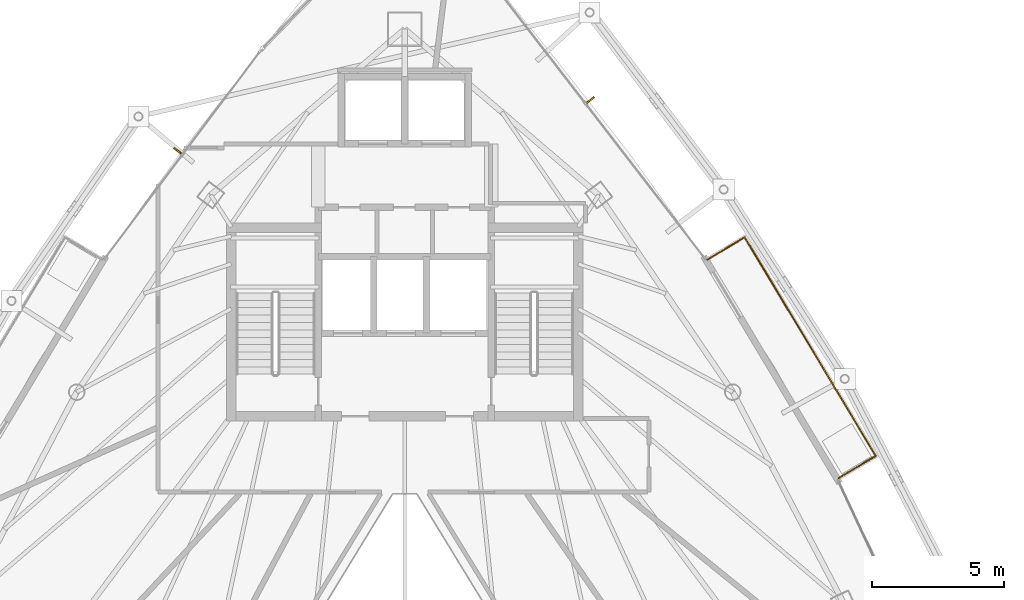
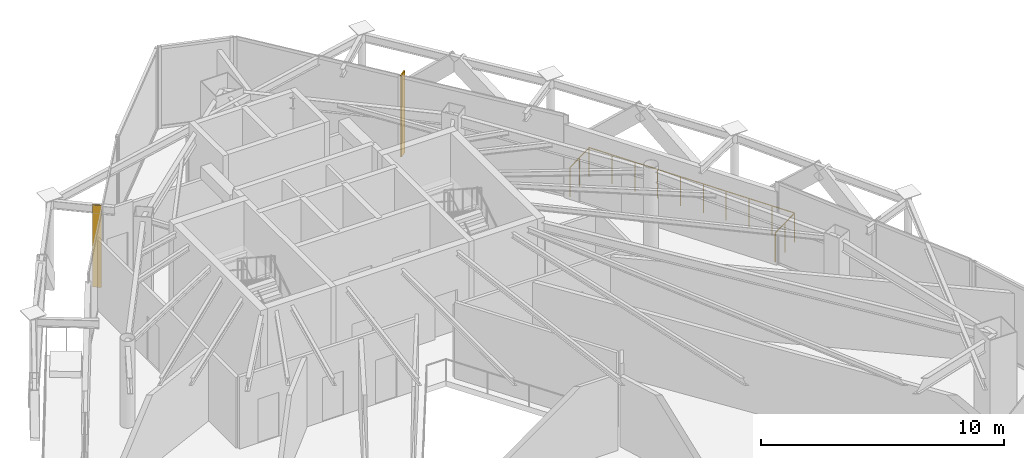
# One storey, part 25 of 25: 2 shading devices, 1 railing.
"""IFC4 building model written with IfcOpenShell, lengths in metres."""

from ifc_helpers import new_model, si_unit, direction, frame, origin, origin_2d, place, context, subcontext, project, spatial, rectangle, circle, extrude, material, layer, layer_set, type_object, element, save


model = new_model("IFC4")

# Units and contexts
model_context = context("Model", 3, precision=1e-05, world=origin(), true_north=direction((0.0, 1.0)))
body_context = subcontext(model_context, "Body", "Model", "MODEL_VIEW")
ifc_project = project(units=[si_unit("LENGTHUNIT", "METRE"), si_unit("AREAUNIT", "SQUARE_METRE"), si_unit("VOLUMEUNIT", "CUBIC_METRE"), si_unit("PLANEANGLEUNIT", "RADIAN"), si_unit("MASSUNIT", "GRAM", prefix="KILO")], contexts=[model_context])

# Site, building, storey
site_placement = place(None, origin())
site = spatial("IfcSite", under=ifc_project, at=site_placement, CompositionType="ELEMENT")
building_placement = place(site_placement, origin())
building = spatial("IfcBuilding", under=site, at=building_placement, Name="Orvanel Arch Residences", CompositionType="ELEMENT")
storey_placement = place(building_placement, frame((0.0, 0.0, 236.0)))
storey = spatial("IfcBuildingStorey", under=building, at=storey_placement, Name="L67", CompositionType="ELEMENT", Elevation=236.0)

# Shading devices
ifc_material = material(Name="Bronze-anodised aluminium AA6063-T6", Category="aluminium")
ifc_layer = layer(ifc_material, 0.06005859375)
ifc_layer_set = layer_set([ifc_layer], Name="Bronze-anodised aluminium AA6063-T6")
shading_device_type = type_object("IfcShadingDeviceType", Name="FIN-BRZ-380", PredefinedType="USERDEFINED", material=ifc_layer_set)
for number, where, z_axis, x_axis, name in (
    (1, (24.403076171875, 36.783935546875, 0.0), (0.0, 0.0, 1.0), (-0.799684658487, 0.600420225326, 0.0), "L67 Anodised Bronze Mullion FIN 01"),
    (2, (40.02490234375, 38.70703125, 0.0), (0.0, 0.0, 1.0), (0.791223532967, 0.611527040186, 0.0), "L67 Anodised Bronze Mullion FIN 01"),
):
    element("IfcShadingDevice", number, at=place(storey_placement, frame(where, z_axis=z_axis, x_axis=x_axis)), inside=storey, type_object=shading_device_type, Name=name, ObjectType="FIN", PredefinedType="USERDEFINED", context=body_context, shape_type="SweptSolid", body=[
        extrude(rectangle(XDim=0.3798828125, YDim=0.06005859375, at=origin_2d()), origin(), (0.0, 0.0, 1.0), 4.110107421875),
    ])

# Railing
railing_type = type_object("IfcRailingType", Name="RL-BAL-1480", PredefinedType="BALUSTRADE", material=ifc_material)
railing_placement = place(storey_placement, frame((49.44091796875, 24.382080078125, 0.0)))
element("IfcRailing", 3, at=railing_placement, inside=storey, type_object=railing_type, Name="L67 Balcony Perimeter Guardrail Face 3", PredefinedType="BALUSTRADE", context=body_context, shape_type="SweptSolid", body=[
    extrude(circle(Radius=0.02392578125, at=origin_2d()), frame((0.001220703125, 0.000732421875, 1.4560546875), z_axis=(0.857545439568, 0.514408222208, 0.0), x_axis=(-0.514408222208, 0.857545439568, 0.0)), (0.0, 0.0, 1.0), 1.6376953125),
    extrude(circle(Radius=0.02392578125, at=origin_2d()), frame((1.40625, 0.84521484375, 1.4560546875), z_axis=(-0.514361929684, 0.857573206958, 0.0), x_axis=(-0.857573206958, -0.514361929684, 0.0)), (0.0, 0.0, 1.0), 9.655517578125),
    extrude(circle(Radius=0.02392578125, at=origin_2d()), frame((-3.562255859375, 9.126220703125, 1.4560546875), z_axis=(-0.857348374301, -0.51473659777, 0.0), x_axis=(0.51473659777, -0.857348374301, 0.0)), (0.0, 0.0, 1.0), 1.63671875),
    extrude(circle(Radius=0.02099609375, at=origin_2d()), origin(), (0.0, 0.0, 1.0), 1.429931640625),
    extrude(circle(Radius=0.02099609375, at=origin_2d()), frame((0.70361328125, 0.421875, 0.0)), (0.0, 0.0, 1.0), 1.429931640625),
    extrude(circle(Radius=0.02099609375, at=origin_2d()), frame((1.406982421875, 0.843994140625, 0.0)), (0.0, 0.0, 1.0), 1.429931640625),
    extrude(circle(Radius=0.02099609375, at=origin_2d()), frame((0.85498046875, 1.764404296875, 0.0)), (0.0, 0.0, 1.0), 1.429931640625),
    extrude(circle(Radius=0.02099609375, at=origin_2d()), frame((0.302978515625, 2.6845703125, 0.0)), (0.0, 0.0, 1.0), 1.429931640625),
    extrude(circle(Radius=0.02099609375, at=origin_2d()), frame((-0.2490234375, 3.60498046875, 0.0)), (0.0, 0.0, 1.0), 1.429931640625),
    extrude(circle(Radius=0.02099609375, at=origin_2d()), frame((-0.801025390625, 4.525390625, 0.0)), (0.0, 0.0, 1.0), 1.429931640625),
    extrude(circle(Radius=0.02099609375, at=origin_2d()), frame((-1.35302734375, 5.445556640625, 0.0)), (0.0, 0.0, 1.0), 1.429931640625),
    extrude(circle(Radius=0.02099609375, at=origin_2d()), frame((-1.905029296875, 6.365966796875, 0.0)), (0.0, 0.0, 1.0), 1.429931640625),
    extrude(circle(Radius=0.02099609375, at=origin_2d()), frame((-2.45703125, 7.286376953125, 0.0)), (0.0, 0.0, 1.0), 1.429931640625),
    extrude(circle(Radius=0.02099609375, at=origin_2d()), frame((-3.009033203125, 8.20654296875, 0.0)), (0.0, 0.0, 1.0), 1.429931640625),
    extrude(circle(Radius=0.02099609375, at=origin_2d()), frame((-3.56103515625, 9.126953125, 0.0)), (0.0, 0.0, 1.0), 1.429931640625),
    extrude(circle(Radius=0.02099609375, at=origin_2d()), frame((-4.263916015625, 8.705078125, 0.0)), (0.0, 0.0, 1.0), 1.429931640625),
    extrude(circle(Radius=0.02099609375, at=origin_2d()), frame((-4.966796875, 8.282958984375, 0.0)), (0.0, 0.0, 1.0), 1.429931640625),
])

save(model, "model.ifc")
